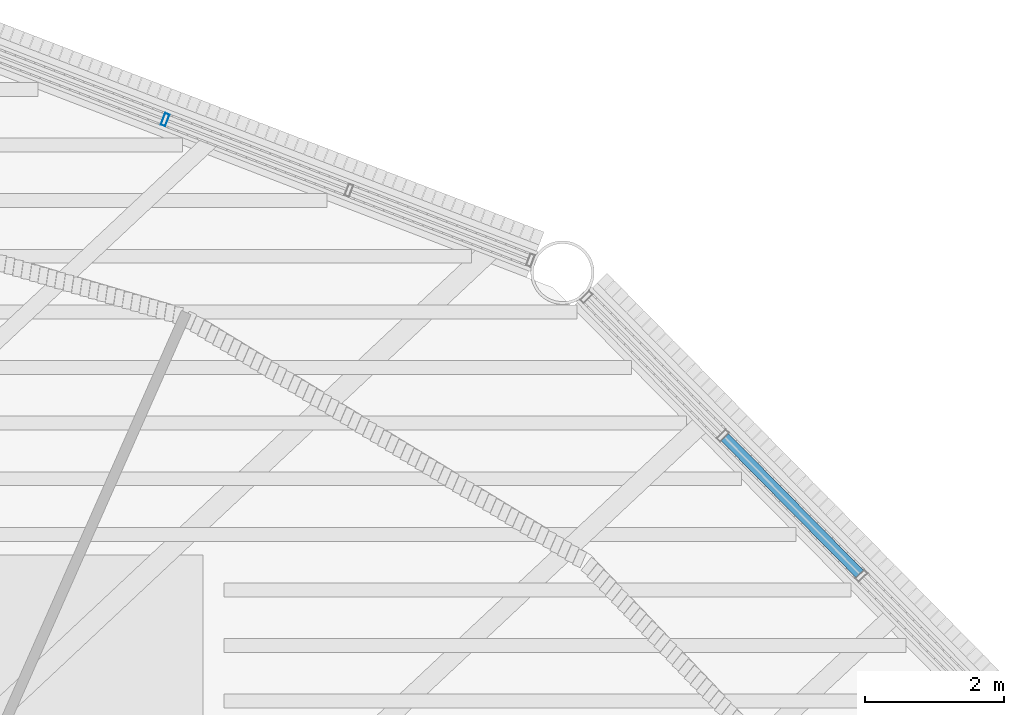
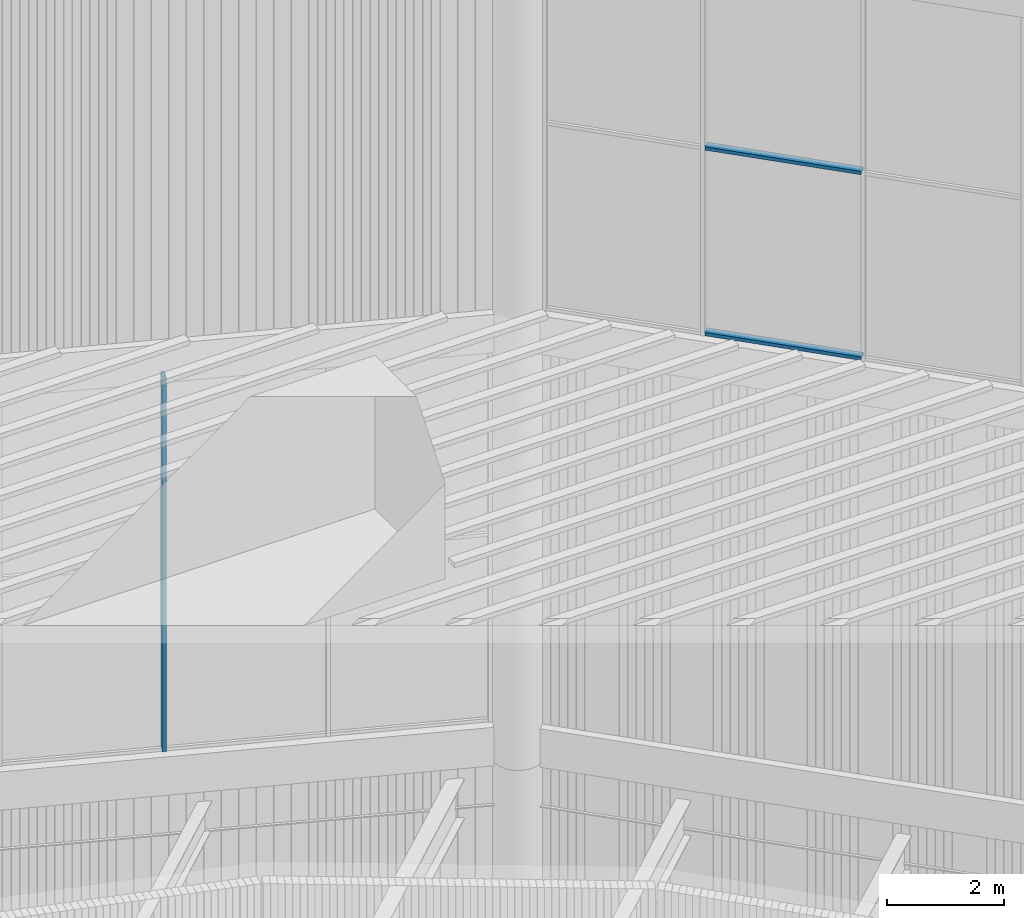
# One storey, part 59 of 117: 3 members, 2 elements without a shape of their own.
"""IFC4 building model written with IfcOpenShell, lengths in metres."""

import ifcopenshell
import ifcopenshell.guid

model = None  # the IFC model being written
_history = None  # IfcOwnerHistory: only IFC2X3 demands one
_inside = {}  # id of a spatial element -> (the spatial element, [elements in it])
_under = {}  # id of a project, library or spatial element -> (it, [spatial elements below it])
_declared = {}  # id of a project -> (the project, [libraries it declares])
_typed = {}  # id of a type object -> (the type object, [elements of that type])
_made_of = {}  # id of a material, layer set ... -> (it, [elements and type objects made of it])


def new_model(schema):
    """Start an empty IFC model of exactly this schema.

    Asked for "IFC4X3", IfcOpenShell would pick the latest addendum, in which some entities
    have other attributes; the version numbers below select the first issue.
    IFC2X3 requires an IfcOwnerHistory on every rooted entity: one is made here for all.
    """
    global model, _history
    if schema == "IFC4X3":
        model = ifcopenshell.file(schema_version=(4, 3, 0, 0))
    else:
        model = ifcopenshell.file(schema=schema)
    _inside.clear()
    _under.clear()
    _declared.clear()
    _typed.clear()
    _made_of.clear()
    _history = None
    if model.schema == "IFC2X3":
        org = make("IfcOrganization", Name="unknown")
        user = make(
            "IfcPersonAndOrganization",
            ThePerson=make("IfcPerson", FamilyName="unknown"),
            TheOrganization=org,
        )
        app = make(
            "IfcApplication",
            ApplicationDeveloper=org,
            Version="unknown",
            ApplicationFullName="unknown",
            ApplicationIdentifier="unknown",
        )
        _history = make(
            "IfcOwnerHistory",
            OwningUser=user,
            OwningApplication=app,
            ChangeAction="ADDED",
            CreationDate=0,
        )
    return model


def make(cls, **values):
    """One entity of the class cls with the attributes given. An attribute that is None is left unset."""
    return model.create_entity(
        cls, **{name: value for name, value in values.items() if value is not None}
    )


def rooted(cls, **values):
    """An entity with a GlobalId (a new one), such as an element, a storey or a relation."""
    return make(cls, GlobalId=ifcopenshell.guid.new(), OwnerHistory=_history, **values)


def si_unit(unit_type, name, prefix=None):
    """IfcSIUnit, for example si_unit("LENGTHUNIT", "METRE", prefix="MILLI")."""
    return make("IfcSIUnit", UnitType=unit_type, Prefix=prefix, Name=name)


def assignment(units):
    """IfcUnitAssignment: the units of a project."""
    return None if units is None else make("IfcUnitAssignment", Units=units)


def point(xyz):
    """IfcCartesianPoint."""
    return None if xyz is None else make("IfcCartesianPoint", Coordinates=xyz)


def direction(xyz):
    """IfcDirection."""
    return None if xyz is None else make("IfcDirection", DirectionRatios=xyz)


def frame(location, z_axis=None, x_axis=None):
    """IfcAxis2Placement3D, a coordinate frame: its origin and axes. An axis left out is left unset."""
    return make(
        "IfcAxis2Placement3D",
        Location=point(location),
        Axis=direction(z_axis),
        RefDirection=direction(x_axis),
    )


def frame_2d(location, x_axis=None):
    """IfcAxis2Placement2D, a coordinate frame in the plane: its origin and x axis."""
    return make(
        "IfcAxis2Placement2D", Location=point(location), RefDirection=direction(x_axis)
    )


def origin():
    """The frame at (0, 0, 0) with its axes left unset."""
    return frame((0.0, 0.0, 0.0))


def origin_2d():
    """The frame at (0, 0) in the plane with its x axis left unset."""
    return frame_2d((0.0, 0.0))


def place(relative_to, where):
    """IfcLocalPlacement: puts the frame where relative to a parent placement (None: the world)."""
    return make(
        "IfcLocalPlacement", PlacementRelTo=relative_to, RelativePlacement=where
    )


def context(
    kind, dimensions, precision=None, world=None, true_north=None, identifier=None
):
    """IfcGeometricRepresentationContext, for example the 3D "Model" context."""
    return make(
        "IfcGeometricRepresentationContext",
        ContextIdentifier=identifier,
        ContextType=kind,
        CoordinateSpaceDimension=dimensions,
        Precision=precision,
        WorldCoordinateSystem=world,
        TrueNorth=true_north,
    )


def subcontext(parent, identifier, kind, view, scale=None):
    """IfcGeometricRepresentationSubContext, for example "Body" below "Model"."""
    return make(
        "IfcGeometricRepresentationSubContext",
        ContextIdentifier=identifier,
        ContextType=kind,
        ParentContext=parent,
        TargetScale=scale,
        TargetView=view,
    )


def project(units=None, contexts=None):
    """IfcProject with its units and contexts."""
    return rooted(
        "IfcProject",
        Name="project",
        RepresentationContexts=contexts,
        UnitsInContext=assignment(units),
    )


def spatial(cls, under=None, at=None, **own):
    """A site, building, storey or space (cls), placed at a placement, below another one or the project."""
    s = rooted(cls, ObjectPlacement=at, **own)
    if under is not None:
        _under.setdefault(under.id(), (under, []))[1].append(s)
    return s


def profile(cls, at=None, kind="AREA", **sizes):
    """A parametric profile (cls). Its sizes go by their IFC names, for example OverallWidth=200.0."""
    return make(cls, ProfileType=kind, Position=at, **sizes)


def hollow_rectangle(**sizes):
    """IfcRectangleHollowProfileDef."""
    return profile("IfcRectangleHollowProfileDef", **sizes)


def extrude(swept, where, along, depth):
    """IfcExtrudedAreaSolid: the profile swept, set in the frame where, extruded along a direction by depth."""
    return make(
        "IfcExtrudedAreaSolid",
        SweptArea=swept,
        Position=where,
        ExtrudedDirection=direction(along),
        Depth=depth,
    )


def shape(context_of_items, identifier, shape_type, items):
    """IfcShapeRepresentation: the items that make up one representation, for example the "Body"."""
    return make(
        "IfcShapeRepresentation",
        ContextOfItems=context_of_items,
        RepresentationIdentifier=identifier,
        RepresentationType=shape_type,
        Items=items,
    )


def material(Name=None, Category=None):
    """IfcMaterial."""
    return make("IfcMaterial", Name=Name, Category=Category)


def layer(
    of_material, thickness, ventilated=None, Name=None, Category=None, Priority=None
):
    """IfcMaterialLayer: one layer of a wall or slab, of a material (None: an air gap)."""
    return make(
        "IfcMaterialLayer",
        Material=of_material,
        LayerThickness=thickness,
        IsVentilated=ventilated,
        Name=Name,
        Category=Category,
        Priority=Priority,
    )


def layer_set(layers, Name=None):
    """IfcMaterialLayerSet."""
    return make("IfcMaterialLayerSet", MaterialLayers=layers, LayerSetName=Name)


def material_profile(
    of_material, cross_section, Name=None, Category=None, Priority=None
):
    """IfcMaterialProfile: a cross section and its material."""
    return make(
        "IfcMaterialProfile",
        Name=Name,
        Material=of_material,
        Profile=cross_section,
        Priority=Priority,
        Category=Category,
    )


def profile_set(profiles, Name=None, composite=None):
    """IfcMaterialProfileSet."""
    return make(
        "IfcMaterialProfileSet",
        Name=Name,
        MaterialProfiles=profiles,
        CompositeProfile=composite,
    )


def made_of(thing, what):
    """Note that an element or type object is made of a material, layer set ...; save() writes the relation."""
    if what is not None:
        _made_of.setdefault(what.id(), (what, []))[1].append(thing)
    return thing


def type_object(cls, material=None, **own):
    """A type object (cls), such as IfcWallType, which elements share."""
    return made_of(rooted(cls, **own), material)


def element(
    cls,
    number,
    at=None,
    inside=None,
    cuts=None,
    type_object=None,
    material=None,
    context=None,
    identifier="Body",
    shape_type=None,
    held_by="IfcProductDefinitionShape",
    body=None,
    shapes=None,
    **own,
):
    """One element of the class cls, such as IfcWall. Its Tag is "e" and its number.

    at: its placement. inside: the storey or other place that contains it. cuts: it is an
    opening in that element (IfcRelVoidsElement). A single representation is given by context,
    identifier, shape_type and body (its items); several are given by shapes. held_by: the class
    of the entity that holds the representations. save() writes the other relations.
    """
    e = rooted(cls, Tag="e%d" % number, ObjectPlacement=at, **own)
    if body is not None:
        shapes = [shape(context, identifier, shape_type, body)]
    if shapes is not None:
        e.Representation = make(held_by, Representations=shapes)
    if inside is not None:
        _inside.setdefault(inside.id(), (inside, []))[1].append(e)
    if cuts is not None:
        rooted(
            "IfcRelVoidsElement", RelatingBuildingElement=cuts, RelatedOpeningElement=e
        )
    if type_object is not None:
        _typed.setdefault(type_object.id(), (type_object, []))[1].append(e)
    return made_of(e, material)


def aggregate(whole, parts):
    """IfcRelAggregates: a whole, such as a stair, and the parts it consists of."""
    return rooted("IfcRelAggregates", RelatingObject=whole, RelatedObjects=parts)


def save(model, path):
    """Write the relations noted so far, then the file.

    IfcRelAggregates (storeys below a building ...), IfcRelContainedInSpatialStructure (elements
    in a storey), IfcRelDefinesByType, IfcRelAssociatesMaterial and IfcRelDeclares: one each for
    every whole, place, type object, material and project.
    """
    for whole, parts in _under.values():
        aggregate(whole, parts)
    for where, things in _inside.values():
        rooted(
            "IfcRelContainedInSpatialStructure",
            RelatedElements=things,
            RelatingStructure=where,
        )
    for kind, things in _typed.values():
        rooted("IfcRelDefinesByType", RelatedObjects=things, RelatingType=kind)
    for what, things in _made_of.values():
        rooted("IfcRelAssociatesMaterial", RelatedObjects=things, RelatingMaterial=what)
    for by, libraries in _declared.values():
        rooted("IfcRelDeclares", RelatingContext=by, RelatedDefinitions=libraries)
    model.write(path)


model = new_model("IFC4")

# Units and contexts
model_context = context("Model", 3, precision=1e-05, world=origin(), true_north=direction((0.0, 1.0)))
body_context = subcontext(model_context, "Body", "Model", "MODEL_VIEW")
ifc_project = project(units=[si_unit("LENGTHUNIT", "METRE"), si_unit("AREAUNIT", "SQUARE_METRE"), si_unit("VOLUMEUNIT", "CUBIC_METRE"), si_unit("PLANEANGLEUNIT", "RADIAN"), si_unit("MASSUNIT", "GRAM", prefix="KILO")], contexts=[model_context])

# Site, building, storey
site_placement = place(None, origin())
site = spatial("IfcSite", under=ifc_project, at=site_placement, CompositionType="ELEMENT")
building_placement = place(site_placement, origin())
building = spatial("IfcBuilding", under=site, at=building_placement, Name="Tarsis Ring Headquarters", CompositionType="ELEMENT")
storey_placement = place(building_placement, frame((0.0, 0.0, 403.60009765625)))
storey = spatial("IfcBuildingStorey", under=building, at=storey_placement, Name="L95", CompositionType="ELEMENT", Elevation=403.60009765625)

# Curtain wall, member
ifc_material_1 = material(Name="Aluminium curtain wall", Category="aluminium")
ifc_layer = layer(ifc_material_1, 0.179931640625)
ifc_layer_set = layer_set([ifc_layer], Name="Curtain wall crown glazing")
curtain_wall_type = type_object("IfcCurtainWallType", Name="Curtain wall crown glazing", PredefinedType="NOTDEFINED", material=ifc_layer_set)
curtain_wall_1_placement = place(storey_placement, origin())
curtain_wall_1 = element("IfcCurtainWall", 1, at=curtain_wall_1_placement, inside=storey, type_object=curtain_wall_type, Name="Crown glazing L9", PredefinedType="NOTDEFINED")
ifc_material_2 = material(Name="Aluminium mullion", Category="aluminium")
ifc_material_profile_1 = material_profile(ifc_material_2, hollow_rectangle(XDim=0.179931640625, YDim=0.070068359375, WallThickness=0.0048828125, at=origin_2d()), Name="RHS 180x70x5")
ifc_profile_set_1 = profile_set([ifc_material_profile_1], Name="Aluminium mullion")
member_type_1 = type_object("IfcMemberType", Name="Crown glazing mullion RHS 180x70x5", PredefinedType="MULLION", material=ifc_profile_set_1)
member_1_placement = place(storey_placement, frame((10.19970703125, 26.50048828125, 5.7998046875), z_axis=(0.0, 0.0, 1.0), x_axis=(-0.359202780717, -0.933259536423, 0.0)))
member_1 = element("IfcMember", 2, at=member_1_placement, type_object=member_type_1, Name="CW-C mullion 3", PredefinedType="MULLION", context=body_context, shape_type="SweptSolid", body=[
    extrude(hollow_rectangle(XDim=0.179931640625, YDim=0.070068359375, WallThickness=0.0048828125, at=origin_2d()), origin(), (0.0, 0.0, 1.0), 7.800048828125),
])
aggregate(curtain_wall_1, [member_1])

# Curtain wall, members
curtain_wall_2_placement = place(storey_placement, origin())
curtain_wall_2 = element("IfcCurtainWall", 3, at=curtain_wall_2_placement, inside=storey, type_object=curtain_wall_type, Name="Crown glazing U8", PredefinedType="NOTDEFINED")
ifc_material_3 = material(Name="Aluminium transom", Category="aluminium")
ifc_material_profile_2 = material_profile(ifc_material_3, hollow_rectangle(XDim=0.14990234375, YDim=0.070068359375, WallThickness=0.0048828125, at=origin_2d()), Name="RHS 150x70x5")
ifc_profile_set_2 = profile_set([ifc_material_profile_2], Name="Aluminium transom")
member_type_2 = type_object("IfcMemberType", Name="Crown glazing transom RHS 150x70x5", PredefinedType="USERDEFINED", material=ifc_profile_set_2)
member_2_placement = place(storey_placement, frame((20.191650390625, 19.965087890625, 14.434814453125), z_axis=(-0.702187107163, 0.711992462414, 0.0), x_axis=(-0.711992462414, -0.702187107163, 0.0)))
member_2 = element("IfcMember", 4, at=member_2_placement, type_object=member_type_2, Name="CW-C transom 3.1", ObjectType="TRANSOM", PredefinedType="USERDEFINED", context=body_context, shape_type="SweptSolid", body=[
    extrude(hollow_rectangle(XDim=0.14990234375, YDim=0.070068359375, WallThickness=0.0048828125, at=origin_2d()), origin(), (0.0, 0.0, 1.0), 2.763671875),
])
member_3_placement = place(storey_placement, frame((20.191650390625, 19.965087890625, 18.2998046875), z_axis=(-0.702187107163, 0.711992462414, 0.0), x_axis=(-0.711992462414, -0.702187107163, 0.0)))
member_3 = element("IfcMember", 5, at=member_3_placement, type_object=member_type_2, Name="CW-C transom 3.2", ObjectType="TRANSOM", PredefinedType="USERDEFINED", context=body_context, shape_type="SweptSolid", body=[
    extrude(hollow_rectangle(XDim=0.14990234375, YDim=0.070068359375, WallThickness=0.0048828125, at=origin_2d()), origin(), (0.0, 0.0, 1.0), 2.763671875),
])
aggregate(curtain_wall_2, [member_2, member_3])

save(model, "model.ifc")
